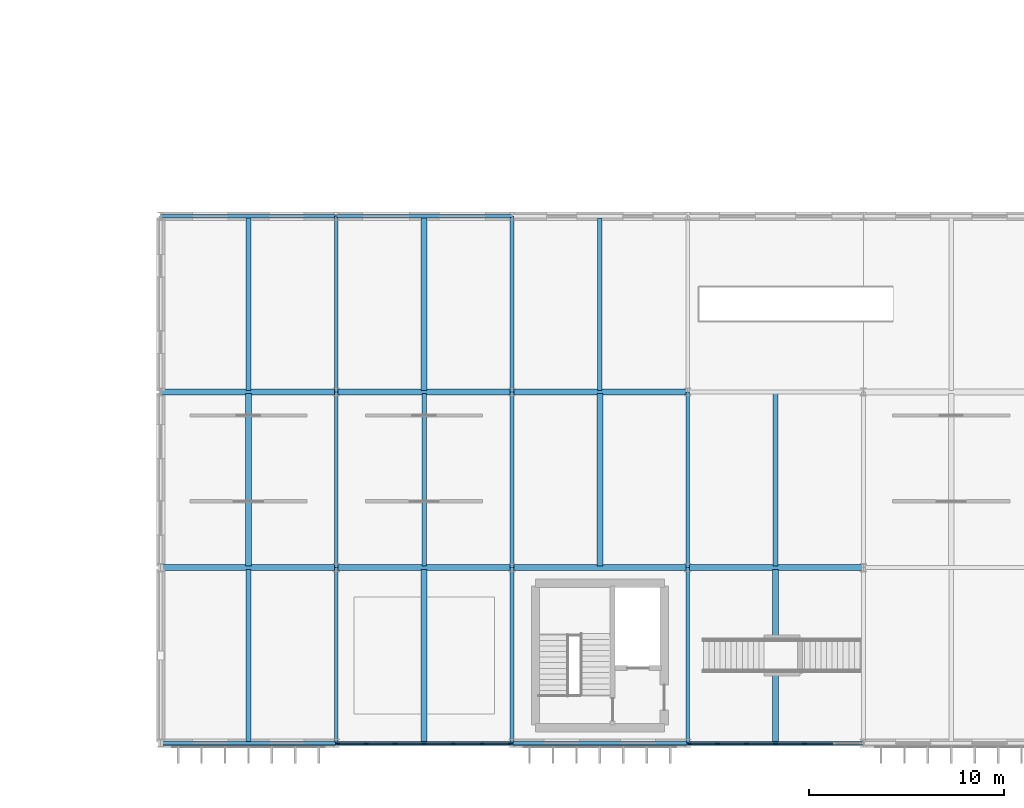
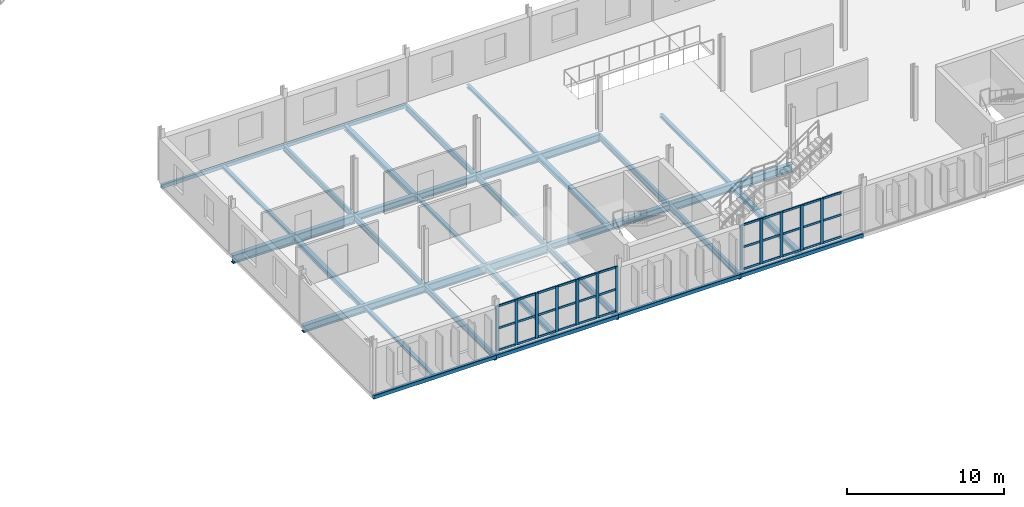
# One storey, part 70 of 161: 45 members, 31 beams, 2 elements without a shape of their own.
"""IFC4 building model written with IfcOpenShell, lengths in metres."""

from ifc_helpers import new_model, si_unit, direction, frame, origin, origin_2d, place, context, subcontext, project, spatial, rectangle, hollow_rectangle, i_section, extrude, material, material_profile, profile_set, type_object, element, aggregate, save


model = new_model("IFC4")

# Units and contexts
model_context = context("Model", 3, precision=1e-05, world=origin(), true_north=direction((0.0, 1.0)))
body_context = subcontext(model_context, "Body", "Model", "MODEL_VIEW")
ifc_project = project(units=[si_unit("LENGTHUNIT", "METRE"), si_unit("AREAUNIT", "SQUARE_METRE"), si_unit("VOLUMEUNIT", "CUBIC_METRE"), si_unit("PLANEANGLEUNIT", "RADIAN"), si_unit("MASSUNIT", "GRAM", prefix="KILO")], contexts=[model_context])

# Site, building, storey
site_placement = place(None, origin())
site = spatial("IfcSite", under=ifc_project, at=site_placement, CompositionType="ELEMENT")
building_placement = place(site_placement, origin())
building = spatial("IfcBuilding", under=site, at=building_placement, Name="Kildeholm Park Wholesale Market", CompositionType="ELEMENT")
storey_placement = place(building_placement, frame((0.0, 0.0, 5.39990234375)))
storey = spatial("IfcBuildingStorey", under=building, at=storey_placement, Name="L01", CompositionType="ELEMENT", Elevation=5.39990234375)

# Beams
ifc_material_1 = material(Name="Steel S355", Category="steel")
ifc_material_profile_1 = material_profile(ifc_material_1, i_section(OverallWidth=0.18994140625, OverallDepth=0.449951171875, WebThickness=0.009521484375, FlangeThickness=0.0146484375, FilletRadius=0.02099609375, at=origin_2d()), Name="IPE 450")
ifc_profile_set_1 = profile_set([ifc_material_profile_1], Name="Steel S355")
beam_type_1 = type_object("IfcBeamType", Name="Beam B-P02 IPE 450", PredefinedType="BEAM", material=ifc_profile_set_1)
for number, where, z_axis, x_axis, name in (
    (1, (135.0, 0.0, -0.46484375), (0.0, 1.0, 0.0), (-1.0, 0.0, 0.0), "Beam BM-V5E-L01-Y-135-000 BM-1533"),
    (2, (135.0, 9.0, -0.46484375), (0.0, 1.0, 0.0), (-1.0, 0.0, 0.0), "Beam BM-V5E-L01-Y-135-009 BM-1536"),
    (3, (135.0, 18.0, -0.46484375), (0.0, 1.0, 0.0), (-1.0, 0.0, 0.0), "Beam BM-V5E-L01-Y-135-018 BM-1539"),
    (4, (144.0, 0.0, -0.46484375), (0.0, 1.0, 0.0), (-1.0, 0.0, 0.0), "Beam BM-V5E-L01-Y-144-000 BM-1543"),
    (5, (144.0, 9.0, -0.46484375), (0.0, 1.0, 0.0), (-1.0, 0.0, 0.0), "Beam BM-V5E-L01-Y-144-009 BM-1545"),
    (6, (144.0, 18.0, -0.46484375), (0.0, 1.0, 0.0), (-1.0, 0.0, 0.0), "Beam BM-V5E-L01-Y-144-018 BM-1548"),
    (7, (153.0, 0.0, -0.46484375), (0.0, 1.0, 0.0), (-1.0, 0.0, 0.0), "Beam BM-V5E-L01-Y-153-000 BM-1552"),
    (8, (153.0, 9.0, -0.46484375), (0.0, 1.0, 0.0), (-1.0, 0.0, 0.0), "Beam BM-V5E-L01-Y-153-009 BM-1555"),
):
    element("IfcBeam", number, at=place(storey_placement, frame(where, z_axis=z_axis, x_axis=x_axis)), inside=storey, type_object=beam_type_1, Name=name, PredefinedType="BEAM", context=body_context, shape_type="SweptSolid", body=[
        extrude(i_section(OverallWidth=0.18994140625, OverallDepth=0.449951171875, WebThickness=0.009521484375, FlangeThickness=0.0146484375, FilletRadius=0.02099609375, at=origin_2d()), origin(), (0.0, 0.0, 1.0), 9.0),
    ])
ifc_material_profile_2 = material_profile(ifc_material_1, i_section(OverallWidth=0.300048828125, OverallDepth=0.550048828125, WebThickness=0.014892578125, FlangeThickness=0.029052734375, FilletRadius=0.027099609375, at=origin_2d()), Name="HEB 550")
ifc_profile_set_2 = profile_set([ifc_material_profile_2], Name="Steel S355")
beam_type_2 = type_object("IfcBeamType", Name="Beam B-X03 HEB 550", PredefinedType="BEAM", material=ifc_profile_set_2)
beam_placement = place(storey_placement, frame((126.0, 9.0, -0.514892578125), z_axis=(1.0, 0.0, 0.0), x_axis=(0.0, 1.0, 0.0)))
element("IfcBeam", 9, at=beam_placement, inside=storey, type_object=beam_type_2, Name="Beam BM-V5E-L01-X-126-009 BM-1525", PredefinedType="BEAM", context=body_context, shape_type="SweptSolid", body=[
    extrude(i_section(OverallWidth=0.300048828125, OverallDepth=0.550048828125, WebThickness=0.014892578125, FlangeThickness=0.029052734375, FilletRadius=0.027099609375, at=origin_2d()), origin(), (0.0, 0.0, 1.0), 9.0),
])
ifc_material_profile_3 = material_profile(ifc_material_1, i_section(OverallWidth=0.300048828125, OverallDepth=0.64990234375, WebThickness=0.01611328125, FlangeThickness=0.031005859375, FilletRadius=0.027099609375, at=origin_2d()), Name="HEB 650")
ifc_profile_set_3 = profile_set([ifc_material_profile_3], Name="Steel S355")
beam_type_3 = type_object("IfcBeamType", Name="Beam B-X04 HEB 650", PredefinedType="BEAM", material=ifc_profile_set_3)
for number, where, z_axis, x_axis, name in (
    (10, (126.0, 18.0, -0.56494140625), (1.0, 0.0, 0.0), (0.0, 1.0, 0.0), "Beam BM-V5E-L01-X-126-018 BM-1528"),
    (11, (135.0, 9.0, -0.56494140625), (1.0, 0.0, 0.0), (0.0, 1.0, 0.0), "Beam BM-V5E-L01-X-135-009 BM-1535"),
):
    element("IfcBeam", number, at=place(storey_placement, frame(where, z_axis=z_axis, x_axis=x_axis)), inside=storey, type_object=beam_type_3, Name=name, PredefinedType="BEAM", context=body_context, shape_type="SweptSolid", body=[
        extrude(i_section(OverallWidth=0.300048828125, OverallDepth=0.64990234375, WebThickness=0.01611328125, FlangeThickness=0.031005859375, FilletRadius=0.027099609375, at=origin_2d()), origin(), (0.0, 0.0, 1.0), 9.0),
    ])
ifc_material_profile_4 = material_profile(ifc_material_1, i_section(OverallWidth=0.300048828125, OverallDepth=0.5, WebThickness=0.014404296875, FlangeThickness=0.028076171875, FilletRadius=0.027099609375, at=origin_2d()), Name="HEB 500")
ifc_profile_set_4 = profile_set([ifc_material_profile_4], Name="Steel S355")
beam_type_4 = type_object("IfcBeamType", Name="Beam B-X05 HEB 500", PredefinedType="BEAM", material=ifc_profile_set_4)
for number, where, z_axis, x_axis, name in (
    (12, (135.0, 18.0, -0.489990234375), (1.0, 0.0, 0.0), (0.0, 1.0, 0.0), "Beam BM-V5E-L01-X-135-018 BM-1538"),
    (13, (144.0, 9.0, -0.489990234375), (1.0, 0.0, 0.0), (0.0, 1.0, 0.0), "Beam BM-V5E-L01-X-144-009 BM-1544"),
):
    element("IfcBeam", number, at=place(storey_placement, frame(where, z_axis=z_axis, x_axis=x_axis)), inside=storey, type_object=beam_type_4, Name=name, PredefinedType="BEAM", context=body_context, shape_type="SweptSolid", body=[
        extrude(i_section(OverallWidth=0.300048828125, OverallDepth=0.5, WebThickness=0.014404296875, FlangeThickness=0.028076171875, FilletRadius=0.027099609375, at=origin_2d()), origin(), (0.0, 0.0, 1.0), 9.0),
    ])
ifc_material_profile_5 = material_profile(ifc_material_1, i_section(OverallWidth=0.300048828125, OverallDepth=0.60009765625, WebThickness=0.015380859375, FlangeThickness=0.030029296875, FilletRadius=0.027099609375, at=origin_2d()), Name="HEB 600")
ifc_profile_set_5 = profile_set([ifc_material_profile_5], Name="Steel S355")
beam_type_5 = type_object("IfcBeamType", Name="Beam B-X06 HEB 600", PredefinedType="BEAM", material=ifc_profile_set_5)
for number, where, z_axis, x_axis, name in (
    (14, (144.0, 18.0, -0.539794921875), (1.0, 0.0, 0.0), (0.0, 1.0, 0.0), "Beam BM-V5E-L01-X-144-018 BM-1547"),
    (15, (153.0, 9.0, -0.539794921875), (1.0, 0.0, 0.0), (0.0, 1.0, 0.0), "Beam BM-V5E-L01-X-153-009 BM-1554"),
):
    element("IfcBeam", number, at=place(storey_placement, frame(where, z_axis=z_axis, x_axis=x_axis)), inside=storey, type_object=beam_type_5, Name=name, PredefinedType="BEAM", context=body_context, shape_type="SweptSolid", body=[
        extrude(i_section(OverallWidth=0.300048828125, OverallDepth=0.60009765625, WebThickness=0.015380859375, FlangeThickness=0.030029296875, FilletRadius=0.027099609375, at=origin_2d()), origin(), (0.0, 0.0, 1.0), 9.0),
    ])
ifc_material_profile_6 = material_profile(ifc_material_1, i_section(OverallWidth=0.239990234375, OverallDepth=0.22998046875, WebThickness=0.007568359375, FlangeThickness=0.011962890625, FilletRadius=0.02099609375, at=origin_2d()), Name="HEA 240")
ifc_profile_set_6 = profile_set([ifc_material_profile_6], Name="Steel S355")
beam_type_6 = type_object("IfcBeamType", Name="Beam J-05 HEA 240", PredefinedType="JOIST", material=ifc_profile_set_6)
for number, where, z_axis, x_axis, name in (
    (16, (130.5, 0.0849609375, -0.35498046875), (0.0, 1.0, 0.0), (-1.0, 0.0, 0.0), "Beam JT-V5E-L01-126-000 BM-1524"),
    (17, (130.5, 18.0849609375, -0.35498046875), (0.0, 1.0, 0.0), (-1.0, 0.0, 0.0), "Beam JT-V5E-L01-126-018 BM-1530"),
    (18, (139.5, 9.0849609375, -0.35498046875), (0.0, 1.0, 0.0), (-1.0, 0.0, 0.0), "Beam JT-V5E-L01-135-009 BM-1537"),
    (19, (148.5, 18.0849609375, -0.35498046875), (0.0, 1.0, 0.0), (-1.0, 0.0, 0.0), "Beam JT-V5E-L01-144-018 BM-1549"),
    (20, (157.5, 9.0849609375, -0.35498046875), (0.0, 1.0, 0.0), (-1.0, 0.0, 0.0), "Beam JT-V5E-L01-153-009 BM-1556"),
):
    element("IfcBeam", number, at=place(storey_placement, frame(where, z_axis=z_axis, x_axis=x_axis)), inside=storey, type_object=beam_type_6, Name=name, PredefinedType="JOIST", context=body_context, shape_type="SweptSolid", body=[
        extrude(i_section(OverallWidth=0.239990234375, OverallDepth=0.22998046875, WebThickness=0.007568359375, FlangeThickness=0.011962890625, FilletRadius=0.02099609375, at=origin_2d()), origin(), (0.0, 0.0, 1.0), 8.830078125),
    ])
ifc_material_profile_7 = material_profile(ifc_material_1, i_section(OverallWidth=0.300048828125, OverallDepth=0.389892578125, WebThickness=0.010986328125, FlangeThickness=0.01904296875, FilletRadius=0.027099609375, at=origin_2d()), Name="HEA 400")
ifc_profile_set_7 = profile_set([ifc_material_profile_7], Name="Steel S355")
beam_type_7 = type_object("IfcBeamType", Name="Beam J-06 HEA 400", PredefinedType="JOIST", material=ifc_profile_set_7)
for number, where, z_axis, x_axis, name in (
    (21, (130.5, 9.0849609375, -0.434814453125), (0.0, 1.0, 0.0), (-1.0, 0.0, 0.0), "Beam JT-V5E-L01-126-009 BM-1527"),
    (22, (139.5, 0.0849609375, -0.434814453125), (0.0, 1.0, 0.0), (-1.0, 0.0, 0.0), "Beam JT-V5E-L01-135-000 BM-1534"),
    (23, (139.5, 18.0849609375, -0.434814453125), (0.0, 1.0, 0.0), (-1.0, 0.0, 0.0), "Beam JT-V5E-L01-135-018 BM-1540"),
    (24, (148.5, 9.0849609375, -0.434814453125), (0.0, 1.0, 0.0), (-1.0, 0.0, 0.0), "Beam JT-V5E-L01-144-009 BM-1546"),
    (25, (157.5, 0.0849609375, -0.434814453125), (0.0, 1.0, 0.0), (-1.0, 0.0, 0.0), "Beam JT-V5E-L01-153-000 BM-1553"),
):
    element("IfcBeam", number, at=place(storey_placement, frame(where, z_axis=z_axis, x_axis=x_axis)), inside=storey, type_object=beam_type_7, Name=name, PredefinedType="JOIST", context=body_context, shape_type="SweptSolid", body=[
        extrude(i_section(OverallWidth=0.300048828125, OverallDepth=0.389892578125, WebThickness=0.010986328125, FlangeThickness=0.01904296875, FilletRadius=0.027099609375, at=origin_2d()), origin(), (0.0, 0.0, 1.0), 8.830078125),
    ])
ifc_material_profile_8 = material_profile(ifc_material_1, hollow_rectangle(XDim=0.199951171875, YDim=0.300048828125, WallThickness=0.012451171875, InnerFilletRadius=0.012451171875, OuterFilletRadius=0.02490234375, at=origin_2d()), Name="RHS 300x200x12.5")
ifc_profile_set_8 = profile_set([ifc_material_profile_8], Name="Steel S355")
beam_type_8 = type_object("IfcBeamType", Name="Beam SP-01 RHS 300x200x12.5", PredefinedType="SPANDREL", material=ifc_profile_set_8)
for number, where, z_axis, x_axis, name in (
    (26, (126.0, 0.0, -0.389892578125), (1.0, 0.0, 0.0), (0.0, 1.0, 0.0), "Beam BM-V5E-L01-X-126-000 BM-1522"),
    (27, (126.0, 27.0, -0.389892578125), (1.0, 0.0, 0.0), (0.0, 1.0, 0.0), "Beam BM-V5E-L01-X-126-027 BM-1531"),
    (28, (135.0, 0.0, -0.389892578125), (1.0, 0.0, 0.0), (0.0, 1.0, 0.0), "Beam BM-V5E-L01-X-135-000 BM-1532"),
    (29, (135.0, 27.0, -0.389892578125), (1.0, 0.0, 0.0), (0.0, 1.0, 0.0), "Beam BM-V5E-L01-X-135-027 BM-1541"),
    (30, (144.0, 0.0, -0.389892578125), (1.0, 0.0, 0.0), (0.0, 1.0, 0.0), "Beam BM-V5E-L01-X-144-000 BM-1542"),
    (31, (153.0, 0.0, -0.389892578125), (1.0, 0.0, 0.0), (0.0, 1.0, 0.0), "Beam BM-V5E-L01-X-153-000 BM-1551"),
):
    element("IfcBeam", number, at=place(storey_placement, frame(where, z_axis=z_axis, x_axis=x_axis)), inside=storey, type_object=beam_type_8, Name=name, PredefinedType="SPANDREL", context=body_context, shape_type="SweptSolid", body=[
        extrude(hollow_rectangle(XDim=0.199951171875, YDim=0.300048828125, WallThickness=0.012451171875, InnerFilletRadius=0.012451171875, OuterFilletRadius=0.02490234375, at=origin_2d()), origin(), (0.0, 0.0, 1.0), 9.0),
    ])

# Curtain wall, members
ifc_material_2 = material(Name="Anodised aluminium and low-E double-glazed glass", Category="aluminium")
curtain_wall_type = type_object("IfcCurtainWallType", Name="Park wing thermally broken curtain wall CW-03", PredefinedType="NOTDEFINED", material=ifc_material_2)
curtain_wall_1_placement = place(storey_placement, origin())
curtain_wall_1 = element("IfcCurtainWall", 32, at=curtain_wall_1_placement, inside=storey, type_object=curtain_wall_type, Name="Curtain wall CW-V5E-L01-S-02 CW-0151", PredefinedType="NOTDEFINED")
ifc_material_3 = material(Name="Anodised aluminium", Category="aluminium")
ifc_material_profile_9 = material_profile(ifc_material_3, rectangle(XDim=0.074951171875, YDim=0.219970703125, at=origin_2d()), Name="CWM 75x220")
ifc_profile_set_9 = profile_set([ifc_material_profile_9], Name="Anodised aluminium")
member_type_1 = type_object("IfcMemberType", Name="Curtain-wall mullion CWM-2 CWM 75x220", PredefinedType="MULLION", material=ifc_profile_set_9)
member_1_placement = place(storey_placement, frame((135.077392578125, 0.0, 0.0), z_axis=(0.0, 0.0, 1.0), x_axis=(0.0, 1.0, 0.0)))
member_1 = element("IfcMember", 33, at=member_1_placement, type_object=member_type_1, Name="CW-03 mullion 1 MEM-4640", PredefinedType="MULLION", context=body_context, shape_type="SweptSolid", body=[
    extrude(rectangle(XDim=0.074951171875, YDim=0.219970703125, at=origin_2d()), origin(), (0.0, 0.0, 1.0), 3.5),
])
member_2_placement = place(storey_placement, frame((136.526611328125, 0.0, 0.0), z_axis=(0.0, 0.0, 1.0), x_axis=(0.0, 1.0, 0.0)))
member_2 = element("IfcMember", 34, at=member_2_placement, type_object=member_type_1, Name="CW-03 mullion 2 MEM-4641", PredefinedType="MULLION", context=body_context, shape_type="SweptSolid", body=[
    extrude(rectangle(XDim=0.074951171875, YDim=0.219970703125, at=origin_2d()), origin(), (0.0, 0.0, 1.0), 3.5),
])
member_3_placement = place(storey_placement, frame((138.013427734375, 0.0, 0.0), z_axis=(0.0, 0.0, 1.0), x_axis=(0.0, 1.0, 0.0)))
member_3 = element("IfcMember", 35, at=member_3_placement, type_object=member_type_1, Name="CW-03 mullion 3 MEM-4642", PredefinedType="MULLION", context=body_context, shape_type="SweptSolid", body=[
    extrude(rectangle(XDim=0.074951171875, YDim=0.219970703125, at=origin_2d()), origin(), (0.0, 0.0, 1.0), 3.5),
])
member_4_placement = place(storey_placement, frame((139.5, 0.0, 0.0), z_axis=(0.0, 0.0, 1.0), x_axis=(0.0, 1.0, 0.0)))
member_4 = element("IfcMember", 36, at=member_4_placement, type_object=member_type_1, Name="CW-03 mullion 4 MEM-4643", PredefinedType="MULLION", context=body_context, shape_type="SweptSolid", body=[
    extrude(rectangle(XDim=0.074951171875, YDim=0.219970703125, at=origin_2d()), origin(), (0.0, 0.0, 1.0), 3.5),
])
member_5_placement = place(storey_placement, frame((140.986572265625, 0.0, 0.0), z_axis=(0.0, 0.0, 1.0), x_axis=(0.0, 1.0, 0.0)))
member_5 = element("IfcMember", 37, at=member_5_placement, type_object=member_type_1, Name="CW-03 mullion 5 MEM-4644", PredefinedType="MULLION", context=body_context, shape_type="SweptSolid", body=[
    extrude(rectangle(XDim=0.074951171875, YDim=0.219970703125, at=origin_2d()), origin(), (0.0, 0.0, 1.0), 3.5),
])
member_6_placement = place(storey_placement, frame((142.473388671875, 0.0, 0.0), z_axis=(0.0, 0.0, 1.0), x_axis=(0.0, 1.0, 0.0)))
member_6 = element("IfcMember", 38, at=member_6_placement, type_object=member_type_1, Name="CW-03 mullion 6 MEM-4645", PredefinedType="MULLION", context=body_context, shape_type="SweptSolid", body=[
    extrude(rectangle(XDim=0.074951171875, YDim=0.219970703125, at=origin_2d()), origin(), (0.0, 0.0, 1.0), 3.5),
])
member_7_placement = place(storey_placement, frame((143.922607421875, 0.0, 0.0), z_axis=(0.0, 0.0, 1.0), x_axis=(0.0, 1.0, 0.0)))
member_7 = element("IfcMember", 39, at=member_7_placement, type_object=member_type_1, Name="CW-03 mullion 7 MEM-4646", PredefinedType="MULLION", context=body_context, shape_type="SweptSolid", body=[
    extrude(rectangle(XDim=0.074951171875, YDim=0.219970703125, at=origin_2d()), origin(), (0.0, 0.0, 1.0), 3.5),
])

curtain_wall_2_placement = place(storey_placement, origin())
curtain_wall_2 = element("IfcCurtainWall", 40, at=curtain_wall_2_placement, inside=storey, type_object=curtain_wall_type, Name="Curtain wall CW-V5E-L01-S-04 CW-0152", PredefinedType="NOTDEFINED")
member_8_placement = place(storey_placement, frame((153.077392578125, 0.0, 0.0), z_axis=(0.0, 0.0, 1.0), x_axis=(0.0, 1.0, 0.0)))
member_8 = element("IfcMember", 41, at=member_8_placement, type_object=member_type_1, Name="CW-03 mullion 1 MEM-4665", PredefinedType="MULLION", context=body_context, shape_type="SweptSolid", body=[
    extrude(rectangle(XDim=0.074951171875, YDim=0.219970703125, at=origin_2d()), origin(), (0.0, 0.0, 1.0), 3.5),
])
member_9_placement = place(storey_placement, frame((154.526611328125, 0.0, 0.0), z_axis=(0.0, 0.0, 1.0), x_axis=(0.0, 1.0, 0.0)))
member_9 = element("IfcMember", 42, at=member_9_placement, type_object=member_type_1, Name="CW-03 mullion 2 MEM-4666", PredefinedType="MULLION", context=body_context, shape_type="SweptSolid", body=[
    extrude(rectangle(XDim=0.074951171875, YDim=0.219970703125, at=origin_2d()), origin(), (0.0, 0.0, 1.0), 3.5),
])
member_10_placement = place(storey_placement, frame((156.013427734375, 0.0, 0.0), z_axis=(0.0, 0.0, 1.0), x_axis=(0.0, 1.0, 0.0)))
member_10 = element("IfcMember", 43, at=member_10_placement, type_object=member_type_1, Name="CW-03 mullion 3 MEM-4667", PredefinedType="MULLION", context=body_context, shape_type="SweptSolid", body=[
    extrude(rectangle(XDim=0.074951171875, YDim=0.219970703125, at=origin_2d()), origin(), (0.0, 0.0, 1.0), 3.5),
])
member_11_placement = place(storey_placement, frame((157.5, 0.0, 0.0), z_axis=(0.0, 0.0, 1.0), x_axis=(0.0, 1.0, 0.0)))
member_11 = element("IfcMember", 44, at=member_11_placement, type_object=member_type_1, Name="CW-03 mullion 4 MEM-4668", PredefinedType="MULLION", context=body_context, shape_type="SweptSolid", body=[
    extrude(rectangle(XDim=0.074951171875, YDim=0.219970703125, at=origin_2d()), origin(), (0.0, 0.0, 1.0), 3.5),
])
member_12_placement = place(storey_placement, frame((158.986572265625, 0.0, 0.0), z_axis=(0.0, 0.0, 1.0), x_axis=(0.0, 1.0, 0.0)))
member_12 = element("IfcMember", 45, at=member_12_placement, type_object=member_type_1, Name="CW-03 mullion 5 MEM-4669", PredefinedType="MULLION", context=body_context, shape_type="SweptSolid", body=[
    extrude(rectangle(XDim=0.074951171875, YDim=0.219970703125, at=origin_2d()), origin(), (0.0, 0.0, 1.0), 3.5),
])

# Member
ifc_material_profile_10 = material_profile(ifc_material_3, rectangle(XDim=0.074951171875, YDim=0.159912109375, at=origin_2d()), Name="CWT 75x160")
ifc_profile_set_10 = profile_set([ifc_material_profile_10], Name="Anodised aluminium")
member_type_2 = type_object("IfcMemberType", Name="Curtain-wall transom CWT-2 CWT 75x160", PredefinedType="USERDEFINED", material=ifc_profile_set_10)
member_13_placement = place(storey_placement, frame((135.114990234375, 0.0, 0.03759765625), z_axis=(1.0, 0.0, 0.0), x_axis=(0.0, 1.0, 0.0)))
member_13 = element("IfcMember", 46, at=member_13_placement, type_object=member_type_2, Name="CW-03 transom 1.1 MEM-4647", ObjectType="TRANSOM", PredefinedType="USERDEFINED", context=body_context, shape_type="SweptSolid", body=[
    extrude(rectangle(XDim=0.074951171875, YDim=0.159912109375, at=origin_2d()), origin(), (0.0, 0.0, 1.0), 1.374267578125),
])

member_14_placement = place(storey_placement, frame((135.114990234375, 0.0, 1.75), z_axis=(1.0, 0.0, 0.0), x_axis=(0.0, 1.0, 0.0)))
member_14 = element("IfcMember", 47, at=member_14_placement, type_object=member_type_2, Name="CW-03 transom 1.2 MEM-4648", ObjectType="TRANSOM", PredefinedType="USERDEFINED", context=body_context, shape_type="SweptSolid", body=[
    extrude(rectangle(XDim=0.074951171875, YDim=0.159912109375, at=origin_2d()), origin(), (0.0, 0.0, 1.0), 1.374267578125),
])

member_15_placement = place(storey_placement, frame((135.114990234375, 0.0, 3.462646484375), z_axis=(1.0, 0.0, 0.0), x_axis=(0.0, 1.0, 0.0)))
member_15 = element("IfcMember", 48, at=member_15_placement, type_object=member_type_2, Name="CW-03 transom 1.3 MEM-4649", ObjectType="TRANSOM", PredefinedType="USERDEFINED", context=body_context, shape_type="SweptSolid", body=[
    extrude(rectangle(XDim=0.074951171875, YDim=0.159912109375, at=origin_2d()), origin(), (0.0, 0.0, 1.0), 1.374267578125),
])

member_16_placement = place(storey_placement, frame((136.564208984375, 0.0, 0.03759765625), z_axis=(1.0, 0.0, 0.0), x_axis=(0.0, 1.0, 0.0)))
member_16 = element("IfcMember", 49, at=member_16_placement, type_object=member_type_2, Name="CW-03 transom 2.1 MEM-4650", ObjectType="TRANSOM", PredefinedType="USERDEFINED", context=body_context, shape_type="SweptSolid", body=[
    extrude(rectangle(XDim=0.074951171875, YDim=0.159912109375, at=origin_2d()), origin(), (0.0, 0.0, 1.0), 1.41162109375),
])

member_17_placement = place(storey_placement, frame((136.564208984375, 0.0, 1.75), z_axis=(1.0, 0.0, 0.0), x_axis=(0.0, 1.0, 0.0)))
member_17 = element("IfcMember", 50, at=member_17_placement, type_object=member_type_2, Name="CW-03 transom 2.2 MEM-4651", ObjectType="TRANSOM", PredefinedType="USERDEFINED", context=body_context, shape_type="SweptSolid", body=[
    extrude(rectangle(XDim=0.074951171875, YDim=0.159912109375, at=origin_2d()), origin(), (0.0, 0.0, 1.0), 1.41162109375),
])

member_18_placement = place(storey_placement, frame((136.564208984375, 0.0, 3.462646484375), z_axis=(1.0, 0.0, 0.0), x_axis=(0.0, 1.0, 0.0)))
member_18 = element("IfcMember", 51, at=member_18_placement, type_object=member_type_2, Name="CW-03 transom 2.3 MEM-4652", ObjectType="TRANSOM", PredefinedType="USERDEFINED", context=body_context, shape_type="SweptSolid", body=[
    extrude(rectangle(XDim=0.074951171875, YDim=0.159912109375, at=origin_2d()), origin(), (0.0, 0.0, 1.0), 1.41162109375),
])

member_19_placement = place(storey_placement, frame((138.05078125, 0.0, 0.03759765625), z_axis=(1.0, 0.0, 0.0), x_axis=(0.0, 1.0, 0.0)))
member_19 = element("IfcMember", 52, at=member_19_placement, type_object=member_type_2, Name="CW-03 transom 3.1 MEM-4653", ObjectType="TRANSOM", PredefinedType="USERDEFINED", context=body_context, shape_type="SweptSolid", body=[
    extrude(rectangle(XDim=0.074951171875, YDim=0.159912109375, at=origin_2d()), origin(), (0.0, 0.0, 1.0), 1.41162109375),
])

member_20_placement = place(storey_placement, frame((138.05078125, 0.0, 1.75), z_axis=(1.0, 0.0, 0.0), x_axis=(0.0, 1.0, 0.0)))
member_20 = element("IfcMember", 53, at=member_20_placement, type_object=member_type_2, Name="CW-03 transom 3.2 MEM-4654", ObjectType="TRANSOM", PredefinedType="USERDEFINED", context=body_context, shape_type="SweptSolid", body=[
    extrude(rectangle(XDim=0.074951171875, YDim=0.159912109375, at=origin_2d()), origin(), (0.0, 0.0, 1.0), 1.41162109375),
])

member_21_placement = place(storey_placement, frame((138.05078125, 0.0, 3.462646484375), z_axis=(1.0, 0.0, 0.0), x_axis=(0.0, 1.0, 0.0)))
member_21 = element("IfcMember", 54, at=member_21_placement, type_object=member_type_2, Name="CW-03 transom 3.3 MEM-4655", ObjectType="TRANSOM", PredefinedType="USERDEFINED", context=body_context, shape_type="SweptSolid", body=[
    extrude(rectangle(XDim=0.074951171875, YDim=0.159912109375, at=origin_2d()), origin(), (0.0, 0.0, 1.0), 1.41162109375),
])

member_22_placement = place(storey_placement, frame((139.53759765625, 0.0, 0.03759765625), z_axis=(1.0, 0.0, 0.0), x_axis=(0.0, 1.0, 0.0)))
member_22 = element("IfcMember", 55, at=member_22_placement, type_object=member_type_2, Name="CW-03 transom 4.1 MEM-4656", ObjectType="TRANSOM", PredefinedType="USERDEFINED", context=body_context, shape_type="SweptSolid", body=[
    extrude(rectangle(XDim=0.074951171875, YDim=0.159912109375, at=origin_2d()), origin(), (0.0, 0.0, 1.0), 1.41162109375),
])

member_23_placement = place(storey_placement, frame((139.53759765625, 0.0, 1.75), z_axis=(1.0, 0.0, 0.0), x_axis=(0.0, 1.0, 0.0)))
member_23 = element("IfcMember", 56, at=member_23_placement, type_object=member_type_2, Name="CW-03 transom 4.2 MEM-4657", ObjectType="TRANSOM", PredefinedType="USERDEFINED", context=body_context, shape_type="SweptSolid", body=[
    extrude(rectangle(XDim=0.074951171875, YDim=0.159912109375, at=origin_2d()), origin(), (0.0, 0.0, 1.0), 1.41162109375),
])

member_24_placement = place(storey_placement, frame((139.53759765625, 0.0, 3.462646484375), z_axis=(1.0, 0.0, 0.0), x_axis=(0.0, 1.0, 0.0)))
member_24 = element("IfcMember", 57, at=member_24_placement, type_object=member_type_2, Name="CW-03 transom 4.3 MEM-4658", ObjectType="TRANSOM", PredefinedType="USERDEFINED", context=body_context, shape_type="SweptSolid", body=[
    extrude(rectangle(XDim=0.074951171875, YDim=0.159912109375, at=origin_2d()), origin(), (0.0, 0.0, 1.0), 1.41162109375),
])

member_25_placement = place(storey_placement, frame((141.024169921875, 0.0, 0.03759765625), z_axis=(1.0, 0.0, 0.0), x_axis=(0.0, 1.0, 0.0)))
member_25 = element("IfcMember", 58, at=member_25_placement, type_object=member_type_2, Name="CW-03 transom 5.1 MEM-4659", ObjectType="TRANSOM", PredefinedType="USERDEFINED", context=body_context, shape_type="SweptSolid", body=[
    extrude(rectangle(XDim=0.074951171875, YDim=0.159912109375, at=origin_2d()), origin(), (0.0, 0.0, 1.0), 1.41162109375),
])

member_26_placement = place(storey_placement, frame((141.024169921875, 0.0, 1.75), z_axis=(1.0, 0.0, 0.0), x_axis=(0.0, 1.0, 0.0)))
member_26 = element("IfcMember", 59, at=member_26_placement, type_object=member_type_2, Name="CW-03 transom 5.2 MEM-4660", ObjectType="TRANSOM", PredefinedType="USERDEFINED", context=body_context, shape_type="SweptSolid", body=[
    extrude(rectangle(XDim=0.074951171875, YDim=0.159912109375, at=origin_2d()), origin(), (0.0, 0.0, 1.0), 1.41162109375),
])

member_27_placement = place(storey_placement, frame((141.024169921875, 0.0, 3.462646484375), z_axis=(1.0, 0.0, 0.0), x_axis=(0.0, 1.0, 0.0)))
member_27 = element("IfcMember", 60, at=member_27_placement, type_object=member_type_2, Name="CW-03 transom 5.3 MEM-4661", ObjectType="TRANSOM", PredefinedType="USERDEFINED", context=body_context, shape_type="SweptSolid", body=[
    extrude(rectangle(XDim=0.074951171875, YDim=0.159912109375, at=origin_2d()), origin(), (0.0, 0.0, 1.0), 1.41162109375),
])

member_28_placement = place(storey_placement, frame((142.5107421875, 0.0, 0.03759765625), z_axis=(1.0, 0.0, 0.0), x_axis=(0.0, 1.0, 0.0)))
member_28 = element("IfcMember", 61, at=member_28_placement, type_object=member_type_2, Name="CW-03 transom 6.1 MEM-4662", ObjectType="TRANSOM", PredefinedType="USERDEFINED", context=body_context, shape_type="SweptSolid", body=[
    extrude(rectangle(XDim=0.074951171875, YDim=0.159912109375, at=origin_2d()), origin(), (0.0, 0.0, 1.0), 1.374267578125),
])

member_29_placement = place(storey_placement, frame((142.5107421875, 0.0, 1.75), z_axis=(1.0, 0.0, 0.0), x_axis=(0.0, 1.0, 0.0)))
member_29 = element("IfcMember", 62, at=member_29_placement, type_object=member_type_2, Name="CW-03 transom 6.2 MEM-4663", ObjectType="TRANSOM", PredefinedType="USERDEFINED", context=body_context, shape_type="SweptSolid", body=[
    extrude(rectangle(XDim=0.074951171875, YDim=0.159912109375, at=origin_2d()), origin(), (0.0, 0.0, 1.0), 1.374267578125),
])

member_30_placement = place(storey_placement, frame((142.5107421875, 0.0, 3.462646484375), z_axis=(1.0, 0.0, 0.0), x_axis=(0.0, 1.0, 0.0)))
member_30 = element("IfcMember", 63, at=member_30_placement, type_object=member_type_2, Name="CW-03 transom 6.3 MEM-4664", ObjectType="TRANSOM", PredefinedType="USERDEFINED", context=body_context, shape_type="SweptSolid", body=[
    extrude(rectangle(XDim=0.074951171875, YDim=0.159912109375, at=origin_2d()), origin(), (0.0, 0.0, 1.0), 1.374267578125),
])

aggregate(curtain_wall_1, [member_1, member_2, member_3, member_4, member_5, member_6, member_7, member_13, member_14, member_15, member_16, member_17, member_18, member_19, member_20, member_21, member_22, member_23, member_24, member_25, member_26, member_27, member_28, member_29, member_30])

member_31_placement = place(storey_placement, frame((153.114990234375, 0.0, 0.03759765625), z_axis=(1.0, 0.0, 0.0), x_axis=(0.0, 1.0, 0.0)))
member_31 = element("IfcMember", 64, at=member_31_placement, type_object=member_type_2, Name="CW-03 transom 1.1 MEM-4672", ObjectType="TRANSOM", PredefinedType="USERDEFINED", context=body_context, shape_type="SweptSolid", body=[
    extrude(rectangle(XDim=0.074951171875, YDim=0.159912109375, at=origin_2d()), origin(), (0.0, 0.0, 1.0), 1.374267578125),
])

member_32_placement = place(storey_placement, frame((153.114990234375, 0.0, 1.75), z_axis=(1.0, 0.0, 0.0), x_axis=(0.0, 1.0, 0.0)))
member_32 = element("IfcMember", 65, at=member_32_placement, type_object=member_type_2, Name="CW-03 transom 1.2 MEM-4673", ObjectType="TRANSOM", PredefinedType="USERDEFINED", context=body_context, shape_type="SweptSolid", body=[
    extrude(rectangle(XDim=0.074951171875, YDim=0.159912109375, at=origin_2d()), origin(), (0.0, 0.0, 1.0), 1.374267578125),
])

member_33_placement = place(storey_placement, frame((153.114990234375, 0.0, 3.462646484375), z_axis=(1.0, 0.0, 0.0), x_axis=(0.0, 1.0, 0.0)))
member_33 = element("IfcMember", 66, at=member_33_placement, type_object=member_type_2, Name="CW-03 transom 1.3 MEM-4674", ObjectType="TRANSOM", PredefinedType="USERDEFINED", context=body_context, shape_type="SweptSolid", body=[
    extrude(rectangle(XDim=0.074951171875, YDim=0.159912109375, at=origin_2d()), origin(), (0.0, 0.0, 1.0), 1.374267578125),
])

member_34_placement = place(storey_placement, frame((154.564208984375, 0.0, 0.03759765625), z_axis=(1.0, 0.0, 0.0), x_axis=(0.0, 1.0, 0.0)))
member_34 = element("IfcMember", 67, at=member_34_placement, type_object=member_type_2, Name="CW-03 transom 2.1 MEM-4675", ObjectType="TRANSOM", PredefinedType="USERDEFINED", context=body_context, shape_type="SweptSolid", body=[
    extrude(rectangle(XDim=0.074951171875, YDim=0.159912109375, at=origin_2d()), origin(), (0.0, 0.0, 1.0), 1.41162109375),
])

member_35_placement = place(storey_placement, frame((154.564208984375, 0.0, 1.75), z_axis=(1.0, 0.0, 0.0), x_axis=(0.0, 1.0, 0.0)))
member_35 = element("IfcMember", 68, at=member_35_placement, type_object=member_type_2, Name="CW-03 transom 2.2 MEM-4676", ObjectType="TRANSOM", PredefinedType="USERDEFINED", context=body_context, shape_type="SweptSolid", body=[
    extrude(rectangle(XDim=0.074951171875, YDim=0.159912109375, at=origin_2d()), origin(), (0.0, 0.0, 1.0), 1.41162109375),
])

member_36_placement = place(storey_placement, frame((154.564208984375, 0.0, 3.462646484375), z_axis=(1.0, 0.0, 0.0), x_axis=(0.0, 1.0, 0.0)))
member_36 = element("IfcMember", 69, at=member_36_placement, type_object=member_type_2, Name="CW-03 transom 2.3 MEM-4677", ObjectType="TRANSOM", PredefinedType="USERDEFINED", context=body_context, shape_type="SweptSolid", body=[
    extrude(rectangle(XDim=0.074951171875, YDim=0.159912109375, at=origin_2d()), origin(), (0.0, 0.0, 1.0), 1.41162109375),
])

member_37_placement = place(storey_placement, frame((156.05078125, 0.0, 0.03759765625), z_axis=(1.0, 0.0, 0.0), x_axis=(0.0, 1.0, 0.0)))
member_37 = element("IfcMember", 70, at=member_37_placement, type_object=member_type_2, Name="CW-03 transom 3.1 MEM-4678", ObjectType="TRANSOM", PredefinedType="USERDEFINED", context=body_context, shape_type="SweptSolid", body=[
    extrude(rectangle(XDim=0.074951171875, YDim=0.159912109375, at=origin_2d()), origin(), (0.0, 0.0, 1.0), 1.41162109375),
])

member_38_placement = place(storey_placement, frame((156.05078125, 0.0, 1.75), z_axis=(1.0, 0.0, 0.0), x_axis=(0.0, 1.0, 0.0)))
member_38 = element("IfcMember", 71, at=member_38_placement, type_object=member_type_2, Name="CW-03 transom 3.2 MEM-4679", ObjectType="TRANSOM", PredefinedType="USERDEFINED", context=body_context, shape_type="SweptSolid", body=[
    extrude(rectangle(XDim=0.074951171875, YDim=0.159912109375, at=origin_2d()), origin(), (0.0, 0.0, 1.0), 1.41162109375),
])

member_39_placement = place(storey_placement, frame((156.05078125, 0.0, 3.462646484375), z_axis=(1.0, 0.0, 0.0), x_axis=(0.0, 1.0, 0.0)))
member_39 = element("IfcMember", 72, at=member_39_placement, type_object=member_type_2, Name="CW-03 transom 3.3 MEM-4680", ObjectType="TRANSOM", PredefinedType="USERDEFINED", context=body_context, shape_type="SweptSolid", body=[
    extrude(rectangle(XDim=0.074951171875, YDim=0.159912109375, at=origin_2d()), origin(), (0.0, 0.0, 1.0), 1.41162109375),
])

member_40_placement = place(storey_placement, frame((157.53759765625, 0.0, 0.03759765625), z_axis=(1.0, 0.0, 0.0), x_axis=(0.0, 1.0, 0.0)))
member_40 = element("IfcMember", 73, at=member_40_placement, type_object=member_type_2, Name="CW-03 transom 4.1 MEM-4681", ObjectType="TRANSOM", PredefinedType="USERDEFINED", context=body_context, shape_type="SweptSolid", body=[
    extrude(rectangle(XDim=0.074951171875, YDim=0.159912109375, at=origin_2d()), origin(), (0.0, 0.0, 1.0), 1.41162109375),
])

member_41_placement = place(storey_placement, frame((157.53759765625, 0.0, 1.75), z_axis=(1.0, 0.0, 0.0), x_axis=(0.0, 1.0, 0.0)))
member_41 = element("IfcMember", 74, at=member_41_placement, type_object=member_type_2, Name="CW-03 transom 4.2 MEM-4682", ObjectType="TRANSOM", PredefinedType="USERDEFINED", context=body_context, shape_type="SweptSolid", body=[
    extrude(rectangle(XDim=0.074951171875, YDim=0.159912109375, at=origin_2d()), origin(), (0.0, 0.0, 1.0), 1.41162109375),
])

member_42_placement = place(storey_placement, frame((157.53759765625, 0.0, 3.462646484375), z_axis=(1.0, 0.0, 0.0), x_axis=(0.0, 1.0, 0.0)))
member_42 = element("IfcMember", 75, at=member_42_placement, type_object=member_type_2, Name="CW-03 transom 4.3 MEM-4683", ObjectType="TRANSOM", PredefinedType="USERDEFINED", context=body_context, shape_type="SweptSolid", body=[
    extrude(rectangle(XDim=0.074951171875, YDim=0.159912109375, at=origin_2d()), origin(), (0.0, 0.0, 1.0), 1.41162109375),
])

member_43_placement = place(storey_placement, frame((159.024169921875, 0.0, 0.03759765625), z_axis=(1.0, 0.0, 0.0), x_axis=(0.0, 1.0, 0.0)))
member_43 = element("IfcMember", 76, at=member_43_placement, type_object=member_type_2, Name="CW-03 transom 5.1 MEM-4684", ObjectType="TRANSOM", PredefinedType="USERDEFINED", context=body_context, shape_type="SweptSolid", body=[
    extrude(rectangle(XDim=0.074951171875, YDim=0.159912109375, at=origin_2d()), origin(), (0.0, 0.0, 1.0), 1.41162109375),
])

member_44_placement = place(storey_placement, frame((159.024169921875, 0.0, 1.75), z_axis=(1.0, 0.0, 0.0), x_axis=(0.0, 1.0, 0.0)))
member_44 = element("IfcMember", 77, at=member_44_placement, type_object=member_type_2, Name="CW-03 transom 5.2 MEM-4685", ObjectType="TRANSOM", PredefinedType="USERDEFINED", context=body_context, shape_type="SweptSolid", body=[
    extrude(rectangle(XDim=0.074951171875, YDim=0.159912109375, at=origin_2d()), origin(), (0.0, 0.0, 1.0), 1.41162109375),
])

member_45_placement = place(storey_placement, frame((159.024169921875, 0.0, 3.462646484375), z_axis=(1.0, 0.0, 0.0), x_axis=(0.0, 1.0, 0.0)))
member_45 = element("IfcMember", 78, at=member_45_placement, type_object=member_type_2, Name="CW-03 transom 5.3 MEM-4686", ObjectType="TRANSOM", PredefinedType="USERDEFINED", context=body_context, shape_type="SweptSolid", body=[
    extrude(rectangle(XDim=0.074951171875, YDim=0.159912109375, at=origin_2d()), origin(), (0.0, 0.0, 1.0), 1.41162109375),
])

aggregate(curtain_wall_2, [member_8, member_9, member_10, member_11, member_12, member_31, member_32, member_33, member_34, member_35, member_36, member_37, member_38, member_39, member_40, member_41, member_42, member_43, member_44, member_45])

save(model, "model.ifc")
